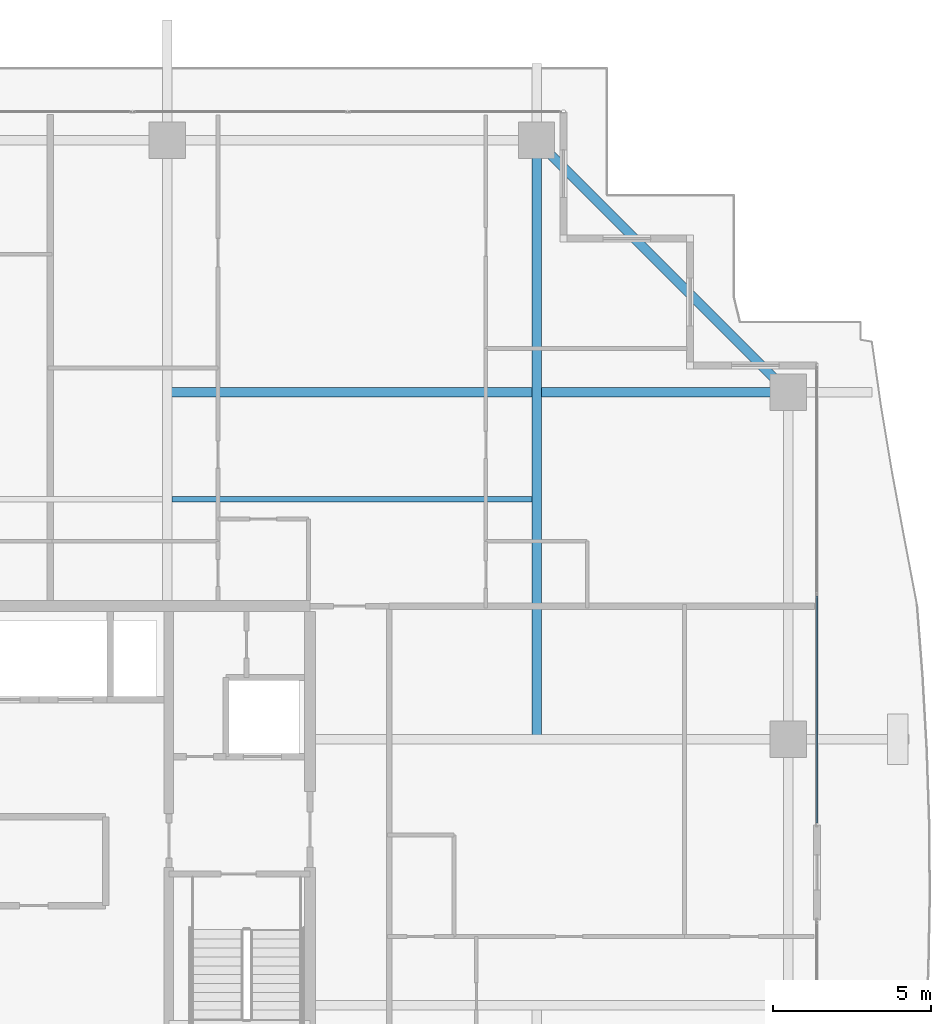
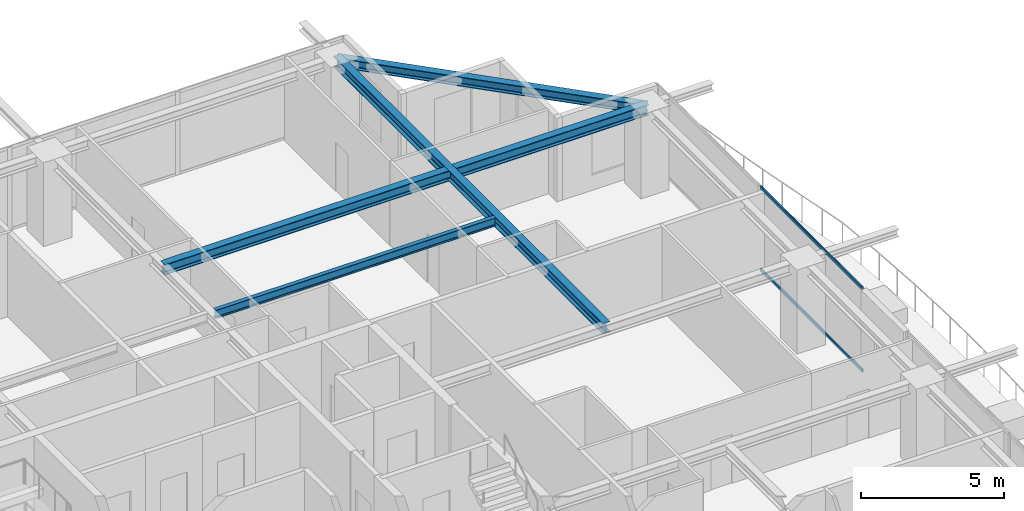
# One storey, part 22 of 37: 4 beams, 2 members, 1 element without a shape of its own.
"""IFC4 building model written with IfcOpenShell, lengths in metres."""

from ifc_helpers import new_model, si_unit, direction, frame, origin, origin_2d, place, context, subcontext, project, spatial, hollow_rectangle, i_section, extrude, source, transform, mapped, material, layer, layer_set, material_profile, profile_set, type_object, element, aggregate, save


model = new_model("IFC4")

# Units and contexts
model_context = context("Model", 3, precision=1e-05, world=origin(), true_north=direction((0.0, 1.0)))
body_context = subcontext(model_context, "Body", "Model", "MODEL_VIEW")
ifc_project = project(units=[si_unit("LENGTHUNIT", "METRE"), si_unit("AREAUNIT", "SQUARE_METRE"), si_unit("VOLUMEUNIT", "CUBIC_METRE"), si_unit("PLANEANGLEUNIT", "RADIAN"), si_unit("MASSUNIT", "GRAM", prefix="KILO")], contexts=[model_context])

# Site, building, storey
site_placement = place(None, origin())
site = spatial("IfcSite", under=ifc_project, at=site_placement, CompositionType="ELEMENT")
building_placement = place(site_placement, origin())
building = spatial("IfcBuilding", under=site, at=building_placement, Name="Serunith Strait Residences", CompositionType="ELEMENT")
storey_placement = place(building_placement, frame((0.0, 0.0, 275.89990234375)))
storey = spatial("IfcBuildingStorey", under=building, at=storey_placement, Name="L69", CompositionType="ELEMENT", Elevation=275.89990234375)

# Beams
ifc_material_1 = material(Name="Steel S355J2", Category="steel")
ifc_material_profile_1 = material_profile(ifc_material_1, i_section(OverallWidth=0.300048828125, OverallDepth=0.449951171875, WebThickness=0.013916015625, FlangeThickness=0.02587890625, FilletRadius=0.027099609375, at=origin_2d()), Name="HEB 450")
ifc_profile_set_1 = profile_set([ifc_material_profile_1], Name="Steel S355J2")
beam_type_1 = type_object("IfcBeamType", Name="BM-HEB450", PredefinedType="BEAM", material=ifc_profile_set_1)
shared_shape_1 = source(origin(), body_context, "Body", "SweptSolid", [
    extrude(i_section(OverallWidth=0.300048828125, OverallDepth=0.449951171875, WebThickness=0.013916015625, FlangeThickness=0.02587890625, FilletRadius=0.027099609375, at=origin_2d()), origin(), (0.0, 0.0, 1.0), 18.900146484375),
])
beam_1_placement = place(storey_placement, frame((48.550048828125, 29.39990234375, 3.362060546875), z_axis=(0.0, 1.0, 0.0), x_axis=(-1.0, 0.0, 0.0)))
element("IfcBeam", 1, at=beam_1_placement, inside=storey, type_object=beam_type_1, Name="L69 Orthogonal Corner Girder TC-N4", PredefinedType="BEAM", context=body_context, shape_type="MappedRepresentation", body=[
    mapped(shared_shape_1, transform((0.0, 0.0, 0.0), scale=1.0)),
])
shared_shape_2 = source(origin(), body_context, "Body", "SweptSolid", [
    extrude(i_section(OverallWidth=0.300048828125, OverallDepth=0.449951171875, WebThickness=0.013916015625, FlangeThickness=0.02587890625, FilletRadius=0.027099609375, at=origin_2d()), origin(), (0.0, 0.0, 1.0), 19.60009765625),
])
beam_2_placement = place(storey_placement, frame((36.89990234375, 40.35009765625, 3.362060546875), z_axis=(1.0, 0.0, 0.0), x_axis=(0.0, 1.0, 0.0)))
element("IfcBeam", 2, at=beam_2_placement, inside=storey, type_object=beam_type_1, Name="L69 Orthogonal Corner Girder TC-E4", PredefinedType="BEAM", context=body_context, shape_type="MappedRepresentation", body=[
    mapped(shared_shape_2, transform((0.0, 0.0, 0.0), scale=1.0)),
])
ifc_material_profile_2 = material_profile(ifc_material_1, i_section(OverallWidth=0.300048828125, OverallDepth=0.39990234375, WebThickness=0.013427734375, FlangeThickness=0.02392578125, FilletRadius=0.027099609375, at=origin_2d()), Name="HEB 400")
ifc_profile_set_2 = profile_set([ifc_material_profile_2], Name="Steel S355J2")
beam_type_2 = type_object("IfcBeamType", Name="BM-HEB400", PredefinedType="BEAM", material=ifc_profile_set_2)
shared_shape_3 = source(origin(), body_context, "Body", "SweptSolid", [
    extrude(i_section(OverallWidth=0.300048828125, OverallDepth=0.39990234375, WebThickness=0.013427734375, FlangeThickness=0.02392578125, FilletRadius=0.027099609375, at=origin_2d()), origin(), (0.0, 0.0, 1.0), 11.242919921875),
])
beam_3_placement = place(storey_placement, frame((56.5, 40.35009765625, 3.357177734375), z_axis=(-0.707106781187, 0.707106781187, 0.0), x_axis=(-0.707106781187, -0.707106781187, 0.0)))
element("IfcBeam", 3, at=beam_3_placement, inside=storey, type_object=beam_type_2, Name="L69 Perimeter Ring Beam 08", PredefinedType="BEAM", context=body_context, shape_type="MappedRepresentation", body=[
    mapped(shared_shape_3, transform((0.0, 0.0, 0.0), scale=1.0)),
])
ifc_material_profile_3 = material_profile(ifc_material_1, i_section(OverallWidth=0.169921875, OverallDepth=0.360107421875, WebThickness=0.008056640625, FlangeThickness=0.0126953125, FilletRadius=0.01806640625, at=origin_2d()), Name="IPE 360")
ifc_profile_set_3 = profile_set([ifc_material_profile_3], Name="Steel S355J2")
beam_type_3 = type_object("IfcBeamType", Name="BM-IPE360", PredefinedType="JOIST", material=ifc_profile_set_3)
shared_shape_4 = source(origin(), body_context, "Body", "SweptSolid", [
    extrude(i_section(OverallWidth=0.169921875, OverallDepth=0.360107421875, WebThickness=0.008056640625, FlangeThickness=0.0126953125, FilletRadius=0.01806640625, at=origin_2d()), origin(), (0.0, 0.0, 1.0), 11.349853515625),
])
beam_4_placement = place(storey_placement, frame((37.050048828125, 36.97509765625, 3.406982421875), z_axis=(1.0, 0.0, 0.0), x_axis=(0.0, 1.0, 0.0)))
element("IfcBeam", 4, at=beam_4_placement, inside=storey, type_object=beam_type_3, Name="L69 Composite Floor Joist 06", PredefinedType="JOIST", context=body_context, shape_type="MappedRepresentation", body=[
    mapped(shared_shape_4, transform((0.0, 0.0, 0.0), scale=1.0)),
])

# Curtain wall, members
ifc_material_2 = material(Name="Pale-Champagne Anodised Aluminium", Category="aluminium")
ifc_layer = layer(ifc_material_2, 0.199951171875, Name="Pale-Champagne Anodised Aluminium")
ifc_layer_set = layer_set([ifc_layer], Name="Pale-Champagne Anodised Aluminium")
curtain_wall_type = type_object("IfcCurtainWallType", Name="CW-SYS4", PredefinedType="NOTDEFINED", material=ifc_layer_set)
curtain_wall_placement = place(storey_placement, origin())
curtain_wall = element("IfcCurtainWall", 5, at=curtain_wall_placement, inside=storey, type_object=curtain_wall_type, Name="L69 E Unitised Fritted Curtain Wall", PredefinedType="NOTDEFINED")
ifc_material_profile_4 = material_profile(ifc_material_2, hollow_rectangle(XDim=0.06005859375, YDim=0.139892578125, WallThickness=0.00341796875, InnerFilletRadius=0.00537109375, OuterFilletRadius=0.0087890625, at=origin_2d()), Name="ALU 140x60x3.5")
ifc_profile_set_4 = profile_set([ifc_material_profile_4], Name="Pale-Champagne Anodised Aluminium")
member_type = type_object("IfcMemberType", Name="CW-SYS4-TRAN", PredefinedType="USERDEFINED", material=ifc_profile_set_4)
shared_shape_5 = source(origin(), body_context, "Body", "SweptSolid", [
    extrude(hollow_rectangle(XDim=0.06005859375, YDim=0.139892578125, WallThickness=0.00341796875, InnerFilletRadius=0.00537109375, OuterFilletRadius=0.0087890625, at=origin_2d()), origin(), (0.0, 0.0, 1.0), 7.152587890625),
])
member_1_placement = place(storey_placement, frame((57.39990234375, 26.764892578125, 0.030029296875), z_axis=(0.0, 1.0, 0.0), x_axis=(-1.0, 0.0, 0.0)))
member_1 = element("IfcMember", 6, at=member_1_placement, type_object=member_type, Name="CW-4 transom 1.1", ObjectType="TRANSOM", PredefinedType="USERDEFINED", context=body_context, shape_type="MappedRepresentation", body=[
    mapped(shared_shape_5, transform((0.0, 0.0, 0.0), scale=1.0)),
])
member_2_placement = place(storey_placement, frame((57.39990234375, 26.764892578125, 3.545166015625), z_axis=(0.0, 1.0, 0.0), x_axis=(-1.0, 0.0, 0.0)))
member_2 = element("IfcMember", 7, at=member_2_placement, type_object=member_type, Name="CW-4 transom 1.2", ObjectType="TRANSOM", PredefinedType="USERDEFINED", context=body_context, shape_type="MappedRepresentation", body=[
    mapped(shared_shape_5, transform((0.0, 0.0, 0.0), scale=1.0)),
])
aggregate(curtain_wall, [member_1, member_2])

save(model, "model.ifc")
